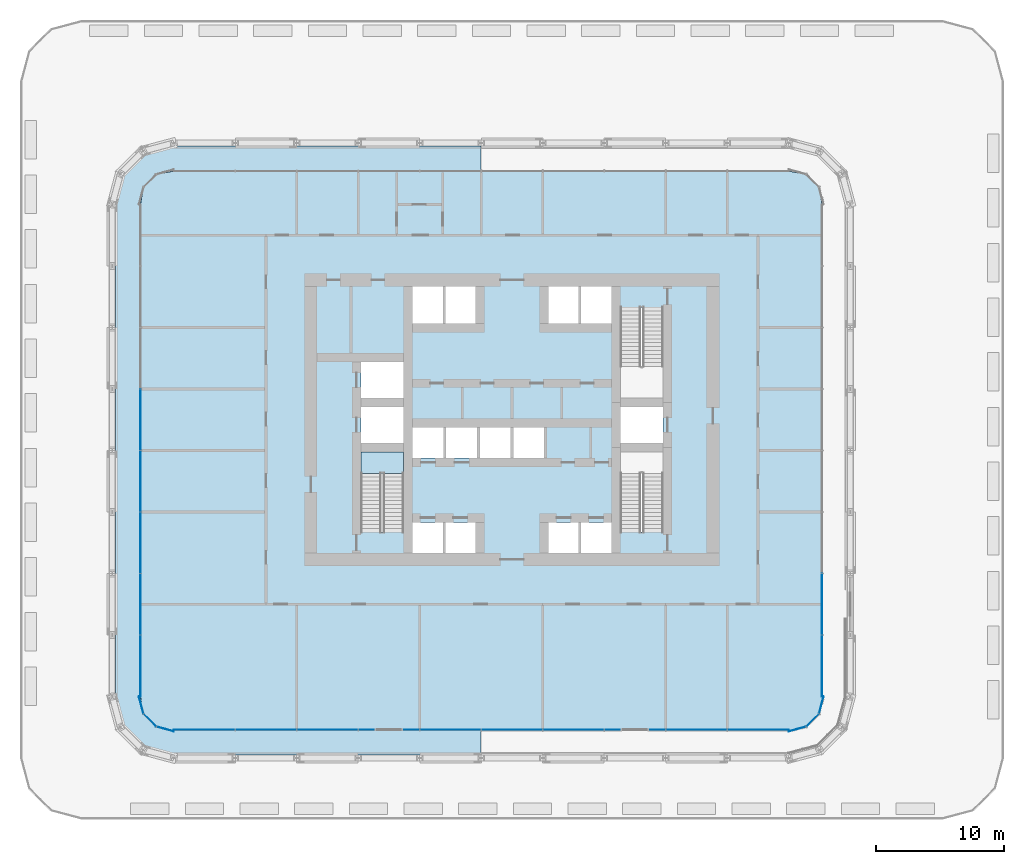
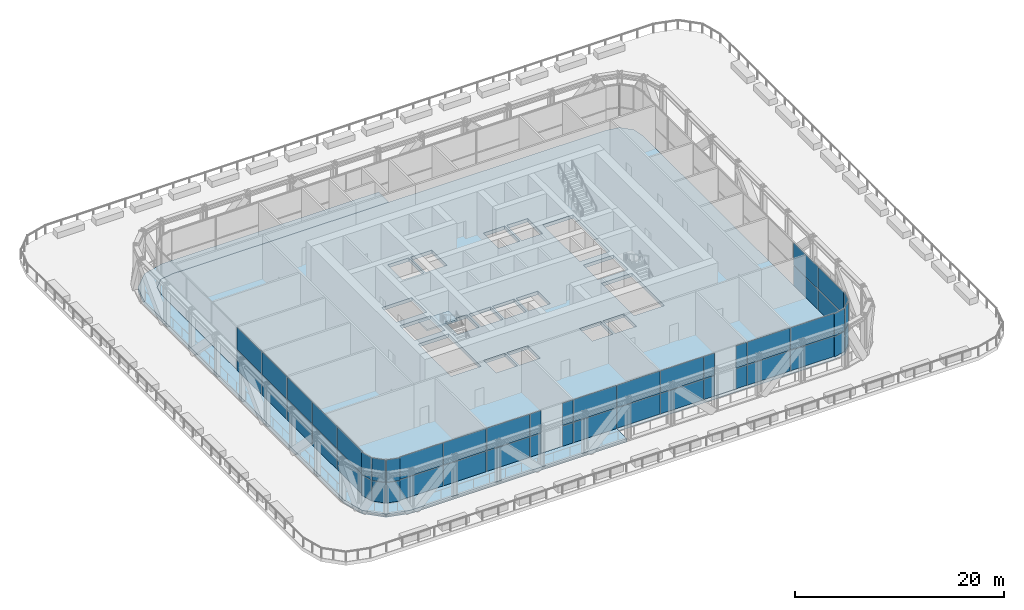
# One storey, part 11 of 22: 50 plates, 3 slabs, 6 elements without a shape of their own.
"""IFC4 building model written with IfcOpenShell, lengths in metres."""

import ifcopenshell
import ifcopenshell.guid

model = None  # the IFC model being written
_history = None  # IfcOwnerHistory: only IFC2X3 demands one
_inside = {}  # id of a spatial element -> (the spatial element, [elements in it])
_under = {}  # id of a project, library or spatial element -> (it, [spatial elements below it])
_declared = {}  # id of a project -> (the project, [libraries it declares])
_typed = {}  # id of a type object -> (the type object, [elements of that type])
_made_of = {}  # id of a material, layer set ... -> (it, [elements and type objects made of it])


def new_model(schema):
    """Start an empty IFC model of exactly this schema.

    Asked for "IFC4X3", IfcOpenShell would pick the latest addendum, in which some entities
    have other attributes; the version numbers below select the first issue.
    IFC2X3 requires an IfcOwnerHistory on every rooted entity: one is made here for all.
    """
    global model, _history
    if schema == "IFC4X3":
        model = ifcopenshell.file(schema_version=(4, 3, 0, 0))
    else:
        model = ifcopenshell.file(schema=schema)
    _inside.clear()
    _under.clear()
    _declared.clear()
    _typed.clear()
    _made_of.clear()
    _history = None
    if model.schema == "IFC2X3":
        org = make("IfcOrganization", Name="unknown")
        user = make(
            "IfcPersonAndOrganization",
            ThePerson=make("IfcPerson", FamilyName="unknown"),
            TheOrganization=org,
        )
        app = make(
            "IfcApplication",
            ApplicationDeveloper=org,
            Version="unknown",
            ApplicationFullName="unknown",
            ApplicationIdentifier="unknown",
        )
        _history = make(
            "IfcOwnerHistory",
            OwningUser=user,
            OwningApplication=app,
            ChangeAction="ADDED",
            CreationDate=0,
        )
    return model


def make(cls, **values):
    """One entity of the class cls with the attributes given. An attribute that is None is left unset."""
    return model.create_entity(
        cls, **{name: value for name, value in values.items() if value is not None}
    )


def rooted(cls, **values):
    """An entity with a GlobalId (a new one), such as an element, a storey or a relation."""
    return make(cls, GlobalId=ifcopenshell.guid.new(), OwnerHistory=_history, **values)


def si_unit(unit_type, name, prefix=None):
    """IfcSIUnit, for example si_unit("LENGTHUNIT", "METRE", prefix="MILLI")."""
    return make("IfcSIUnit", UnitType=unit_type, Prefix=prefix, Name=name)


def assignment(units):
    """IfcUnitAssignment: the units of a project."""
    return None if units is None else make("IfcUnitAssignment", Units=units)


def point(xyz):
    """IfcCartesianPoint."""
    return None if xyz is None else make("IfcCartesianPoint", Coordinates=xyz)


def direction(xyz):
    """IfcDirection."""
    return None if xyz is None else make("IfcDirection", DirectionRatios=xyz)


def frame(location, z_axis=None, x_axis=None):
    """IfcAxis2Placement3D, a coordinate frame: its origin and axes. An axis left out is left unset."""
    return make(
        "IfcAxis2Placement3D",
        Location=point(location),
        Axis=direction(z_axis),
        RefDirection=direction(x_axis),
    )


def frame_2d(location, x_axis=None):
    """IfcAxis2Placement2D, a coordinate frame in the plane: its origin and x axis."""
    return make(
        "IfcAxis2Placement2D", Location=point(location), RefDirection=direction(x_axis)
    )


def origin():
    """The frame at (0, 0, 0) with its axes left unset."""
    return frame((0.0, 0.0, 0.0))


def origin_2d():
    """The frame at (0, 0) in the plane with its x axis left unset."""
    return frame_2d((0.0, 0.0))


def place(relative_to, where):
    """IfcLocalPlacement: puts the frame where relative to a parent placement (None: the world)."""
    return make(
        "IfcLocalPlacement", PlacementRelTo=relative_to, RelativePlacement=where
    )


def context(
    kind, dimensions, precision=None, world=None, true_north=None, identifier=None
):
    """IfcGeometricRepresentationContext, for example the 3D "Model" context."""
    return make(
        "IfcGeometricRepresentationContext",
        ContextIdentifier=identifier,
        ContextType=kind,
        CoordinateSpaceDimension=dimensions,
        Precision=precision,
        WorldCoordinateSystem=world,
        TrueNorth=true_north,
    )


def subcontext(parent, identifier, kind, view, scale=None):
    """IfcGeometricRepresentationSubContext, for example "Body" below "Model"."""
    return make(
        "IfcGeometricRepresentationSubContext",
        ContextIdentifier=identifier,
        ContextType=kind,
        ParentContext=parent,
        TargetScale=scale,
        TargetView=view,
    )


def project(units=None, contexts=None):
    """IfcProject with its units and contexts."""
    return rooted(
        "IfcProject",
        Name="project",
        RepresentationContexts=contexts,
        UnitsInContext=assignment(units),
    )


def spatial(cls, under=None, at=None, **own):
    """A site, building, storey or space (cls), placed at a placement, below another one or the project."""
    s = rooted(cls, ObjectPlacement=at, **own)
    if under is not None:
        _under.setdefault(under.id(), (under, []))[1].append(s)
    return s


def polyline(points):
    """IfcPolyline through the points."""
    return make("IfcPolyline", Points=[point(p) for p in points])


def profile(cls, at=None, kind="AREA", **sizes):
    """A parametric profile (cls). Its sizes go by their IFC names, for example OverallWidth=200.0."""
    return make(cls, ProfileType=kind, Position=at, **sizes)


def rectangle(**sizes):
    """IfcRectangleProfileDef."""
    return profile("IfcRectangleProfileDef", **sizes)


def outline(outer, holes=None, kind="AREA"):
    """IfcArbitraryClosedProfileDef: a profile drawn as a closed curve; with holes, ...WithVoids."""
    if holes is None:
        return make("IfcArbitraryClosedProfileDef", ProfileType=kind, OuterCurve=outer)
    return make(
        "IfcArbitraryProfileDefWithVoids",
        ProfileType=kind,
        OuterCurve=outer,
        InnerCurves=holes,
    )


def extrude(swept, where, along, depth):
    """IfcExtrudedAreaSolid: the profile swept, set in the frame where, extruded along a direction by depth."""
    return make(
        "IfcExtrudedAreaSolid",
        SweptArea=swept,
        Position=where,
        ExtrudedDirection=direction(along),
        Depth=depth,
    )


def shape(context_of_items, identifier, shape_type, items):
    """IfcShapeRepresentation: the items that make up one representation, for example the "Body"."""
    return make(
        "IfcShapeRepresentation",
        ContextOfItems=context_of_items,
        RepresentationIdentifier=identifier,
        RepresentationType=shape_type,
        Items=items,
    )


def material(Name=None, Category=None):
    """IfcMaterial."""
    return make("IfcMaterial", Name=Name, Category=Category)


def layer(
    of_material, thickness, ventilated=None, Name=None, Category=None, Priority=None
):
    """IfcMaterialLayer: one layer of a wall or slab, of a material (None: an air gap)."""
    return make(
        "IfcMaterialLayer",
        Material=of_material,
        LayerThickness=thickness,
        IsVentilated=ventilated,
        Name=Name,
        Category=Category,
        Priority=Priority,
    )


def layer_set(layers, Name=None):
    """IfcMaterialLayerSet."""
    return make("IfcMaterialLayerSet", MaterialLayers=layers, LayerSetName=Name)


def made_of(thing, what):
    """Note that an element or type object is made of a material, layer set ...; save() writes the relation."""
    if what is not None:
        _made_of.setdefault(what.id(), (what, []))[1].append(thing)
    return thing


def type_object(cls, material=None, **own):
    """A type object (cls), such as IfcWallType, which elements share."""
    return made_of(rooted(cls, **own), material)


def element(
    cls,
    number,
    at=None,
    inside=None,
    cuts=None,
    type_object=None,
    material=None,
    context=None,
    identifier="Body",
    shape_type=None,
    held_by="IfcProductDefinitionShape",
    body=None,
    shapes=None,
    **own,
):
    """One element of the class cls, such as IfcWall. Its Tag is "e" and its number.

    at: its placement. inside: the storey or other place that contains it. cuts: it is an
    opening in that element (IfcRelVoidsElement). A single representation is given by context,
    identifier, shape_type and body (its items); several are given by shapes. held_by: the class
    of the entity that holds the representations. save() writes the other relations.
    """
    e = rooted(cls, Tag="e%d" % number, ObjectPlacement=at, **own)
    if body is not None:
        shapes = [shape(context, identifier, shape_type, body)]
    if shapes is not None:
        e.Representation = make(held_by, Representations=shapes)
    if inside is not None:
        _inside.setdefault(inside.id(), (inside, []))[1].append(e)
    if cuts is not None:
        rooted(
            "IfcRelVoidsElement", RelatingBuildingElement=cuts, RelatedOpeningElement=e
        )
    if type_object is not None:
        _typed.setdefault(type_object.id(), (type_object, []))[1].append(e)
    return made_of(e, material)


def aggregate(whole, parts):
    """IfcRelAggregates: a whole, such as a stair, and the parts it consists of."""
    return rooted("IfcRelAggregates", RelatingObject=whole, RelatedObjects=parts)


def save(model, path):
    """Write the relations noted so far, then the file.

    IfcRelAggregates (storeys below a building ...), IfcRelContainedInSpatialStructure (elements
    in a storey), IfcRelDefinesByType, IfcRelAssociatesMaterial and IfcRelDeclares: one each for
    every whole, place, type object, material and project.
    """
    for whole, parts in _under.values():
        aggregate(whole, parts)
    for where, things in _inside.values():
        rooted(
            "IfcRelContainedInSpatialStructure",
            RelatedElements=things,
            RelatingStructure=where,
        )
    for kind, things in _typed.values():
        rooted("IfcRelDefinesByType", RelatedObjects=things, RelatingType=kind)
    for what, things in _made_of.values():
        rooted("IfcRelAssociatesMaterial", RelatedObjects=things, RelatingMaterial=what)
    for by, libraries in _declared.values():
        rooted("IfcRelDeclares", RelatingContext=by, RelatedDefinitions=libraries)
    model.write(path)


model = new_model("IFC4")

# Units and contexts
model_context = context("Model", 3, precision=1e-05, world=origin(), true_north=direction((0.0, 1.0)))
body_context = subcontext(model_context, "Body", "Model", "MODEL_VIEW")
ifc_project = project(units=[si_unit("LENGTHUNIT", "METRE"), si_unit("AREAUNIT", "SQUARE_METRE"), si_unit("VOLUMEUNIT", "CUBIC_METRE"), si_unit("PLANEANGLEUNIT", "RADIAN"), si_unit("MASSUNIT", "GRAM", prefix="KILO")], contexts=[model_context])

# Site, building, storey
site_placement = place(None, origin())
site = spatial("IfcSite", under=ifc_project, at=site_placement, CompositionType="ELEMENT")
building_placement = place(site_placement, origin())
building = spatial("IfcBuilding", under=site, at=building_placement, Name="Madar Terraces", CompositionType="ELEMENT")
storey_placement = place(building_placement, frame((0.0, 0.0, 24.0)))
storey = spatial("IfcBuildingStorey", under=building, at=storey_placement, Name="L05", CompositionType="ELEMENT", Elevation=24.0)

# Slab
ifc_material_1 = material(Name="Concrete C50/60", Category="concrete")
ifc_layer_1 = layer(ifc_material_1, 0.39990234375)
ifc_layer_set_1 = layer_set([ifc_layer_1], Name="FS6 PT flat slab 400")
slab_type_1 = type_object("IfcSlabType", Name="FS6 PT flat slab 400", PredefinedType="FLOOR", material=ifc_layer_set_1)
slab_1_placement = place(storey_placement, frame((0.0, 0.0, -0.39990234375)))
element("IfcSlab", 1, at=slab_1_placement, inside=storey, type_object=slab_type_1, Name="Floor slab L05 (1)", PredefinedType="FLOOR", context=body_context, shape_type="SweptSolid", body=[
    extrude(outline(polyline([(4.800048828125, 2.199951171875), (52.800048828125, 2.199951171875), (54.159912109375, 2.4443359375), (55.155517578125, 3.43994140625), (55.39990234375, 4.800048828125), (55.39990234375, 43.199951171875), (55.155517578125, 44.56005859375), (54.159912109375, 45.5556640625), (52.800048828125, 45.800048828125), (4.800048828125, 45.800048828125), (3.43994140625, 45.5556640625), (2.4443359375, 44.56005859375), (2.199951171875, 43.199951171875), (2.199951171875, 4.800048828125), (2.4443359375, 3.43994140625), (3.43994140625, 2.4443359375), (4.800048828125, 2.199951171875)]), holes=[polyline([(25.800048828125, 16.0), (23.449951171875, 16.0), (23.449951171875, 18.39990234375), (25.800048828125, 18.39990234375), (25.800048828125, 16.0)]), polyline([(28.35009765625, 16.0), (26.0, 16.0), (26.0, 18.39990234375), (28.35009765625, 18.39990234375), (28.35009765625, 16.0)]), polyline([(22.75, 17.64990234375), (19.39990234375, 17.64990234375), (19.39990234375, 23.89990234375), (22.75, 23.89990234375), (22.75, 17.64990234375)]), polyline([(25.86669921875, 23.39990234375), (23.449951171875, 23.39990234375), (23.449951171875, 25.800048828125), (25.86669921875, 25.800048828125), (25.86669921875, 23.39990234375)]), polyline([(28.4833984375, 23.39990234375), (26.066650390625, 23.39990234375), (26.066650390625, 25.800048828125), (28.4833984375, 25.800048828125), (28.4833984375, 23.39990234375)]), polyline([(22.75, 24.60009765625), (19.39990234375, 24.60009765625), (19.39990234375, 27.39990234375), (22.75, 27.39990234375), (22.75, 24.60009765625)]), polyline([(22.75, 28.10009765625), (19.39990234375, 28.10009765625), (19.39990234375, 30.89990234375), (22.75, 30.89990234375), (22.75, 28.10009765625)]), polyline([(23.449951171875, 33.89990234375), (23.449951171875, 36.800048828125), (25.800048828125, 36.800048828125), (25.800048828125, 33.89990234375), (23.449951171875, 33.89990234375)]), polyline([(26.0, 33.89990234375), (26.0, 36.800048828125), (28.35009765625, 36.800048828125), (28.35009765625, 33.89990234375), (26.0, 33.89990234375)]), polyline([(36.39990234375, 16.0), (34.050048828125, 16.0), (34.050048828125, 18.39990234375), (36.39990234375, 18.39990234375), (36.39990234375, 16.0)]), polyline([(38.949951171875, 16.0), (36.60009765625, 16.0), (36.60009765625, 18.39990234375), (38.949951171875, 18.39990234375), (38.949951171875, 16.0)]), polyline([(43.0, 17.64990234375), (39.64990234375, 17.64990234375), (39.64990234375, 23.89990234375), (43.0, 23.89990234375), (43.0, 17.64990234375)]), polyline([(31.10009765625, 23.39990234375), (28.683349609375, 23.39990234375), (28.683349609375, 25.800048828125), (31.10009765625, 25.800048828125), (31.10009765625, 23.39990234375)]), polyline([(33.716552734375, 23.39990234375), (31.300048828125, 23.39990234375), (31.300048828125, 25.800048828125), (33.716552734375, 25.800048828125), (33.716552734375, 23.39990234375)]), polyline([(43.0, 24.60009765625), (39.64990234375, 24.60009765625), (39.64990234375, 27.39990234375), (43.0, 27.39990234375), (43.0, 24.60009765625)]), polyline([(43.0, 28.10009765625), (39.64990234375, 28.10009765625), (39.64990234375, 35.14990234375), (43.0, 35.14990234375), (43.0, 28.10009765625)]), polyline([(34.050048828125, 33.89990234375), (34.050048828125, 36.800048828125), (36.39990234375, 36.800048828125), (36.39990234375, 33.89990234375), (34.050048828125, 33.89990234375)]), polyline([(36.60009765625, 33.89990234375), (36.60009765625, 36.800048828125), (38.949951171875, 36.800048828125), (38.949951171875, 33.89990234375), (36.60009765625, 33.89990234375)])]), origin(), (0.0, 0.0, 1.0), 0.39990234375),
])

# Curtain wall, plates
ifc_material_2 = material(Name="Glass, ceramic frit dark grey, with black aluminium frame", Category="aluminium")
ifc_layer_2 = layer(ifc_material_2, 0.199951171875)
ifc_layer_set_2 = layer_set([ifc_layer_2], Name="Facade curtain wall, tall glazing")
curtain_wall_type = type_object("IfcCurtainWallType", Name="Facade curtain wall, tall glazing", PredefinedType="NOTDEFINED", material=ifc_layer_set_2)
curtain_wall_1_placement = place(storey_placement, origin())
curtain_wall_1 = element("IfcCurtainWall", 2, at=curtain_wall_1_placement, inside=storey, type_object=curtain_wall_type, Name="Outer skin curtain wall south bay 1", PredefinedType="NOTDEFINED")
ifc_material_3 = material(Name="Glass, ceramic frit dark grey", Category="glass")
ifc_layer_3 = layer(ifc_material_3, 0.028076171875)
ifc_layer_set_3 = layer_set([ifc_layer_3], Name="Facade glass panel 28")
plate_type = type_object("IfcPlateType", Name="Facade glass panel 28", PredefinedType="CURTAIN_PANEL", material=ifc_layer_set_3)
plate_1_placement = place(storey_placement, frame((7.18505859375, 2.199951171875, 0.0), z_axis=(0.0, 0.0, 1.0), x_axis=(1.0, 0.0, 0.0)))
plate_1 = element("IfcPlate", 3, at=plate_1_placement, type_object=plate_type, Name="Panel 1", PredefinedType="CURTAIN_PANEL", context=body_context, shape_type="SweptSolid", body=[
    extrude(rectangle(XDim=4.77001953125, YDim=0.028076171875, at=origin_2d()), origin(), (0.0, 0.0, 1.0), 2.3701171875),
])
plate_2_placement = place(storey_placement, frame((7.18505859375, 2.199951171875, 2.43017578125), z_axis=(0.0, 0.0, 1.0), x_axis=(1.0, 0.0, 0.0)))
plate_2 = element("IfcPlate", 4, at=plate_2_placement, type_object=plate_type, Name="Panel 2", PredefinedType="CURTAIN_PANEL", context=body_context, shape_type="SweptSolid", body=[
    extrude(rectangle(XDim=4.77001953125, YDim=0.028076171875, at=origin_2d()), origin(), (0.0, 0.0, 1.0), 2.610107421875),
])
plate_3_placement = place(storey_placement, frame((12.0, 2.199951171875, 0.0), z_axis=(0.0, 0.0, 1.0), x_axis=(1.0, 0.0, 0.0)))
plate_3 = element("IfcPlate", 5, at=plate_3_placement, type_object=plate_type, Name="Panel 3", PredefinedType="CURTAIN_PANEL", context=body_context, shape_type="SweptSolid", body=[
    extrude(rectangle(XDim=4.739990234375, YDim=0.028076171875, at=origin_2d()), origin(), (0.0, 0.0, 1.0), 2.3701171875),
])
plate_4_placement = place(storey_placement, frame((12.0, 2.199951171875, 2.43017578125), z_axis=(0.0, 0.0, 1.0), x_axis=(1.0, 0.0, 0.0)))
plate_4 = element("IfcPlate", 6, at=plate_4_placement, type_object=plate_type, Name="Panel 4", PredefinedType="CURTAIN_PANEL", context=body_context, shape_type="SweptSolid", body=[
    extrude(rectangle(XDim=4.739990234375, YDim=0.028076171875, at=origin_2d()), origin(), (0.0, 0.0, 1.0), 2.610107421875),
])
plate_5_placement = place(storey_placement, frame((16.800048828125, 2.199951171875, 0.0), z_axis=(0.0, 0.0, 1.0), x_axis=(1.0, 0.0, 0.0)))
plate_5 = element("IfcPlate", 7, at=plate_5_placement, type_object=plate_type, Name="Panel 5", PredefinedType="CURTAIN_PANEL", context=body_context, shape_type="SweptSolid", body=[
    extrude(rectangle(XDim=4.739990234375, YDim=0.028076171875, at=origin_2d()), origin(), (0.0, 0.0, 1.0), 2.3701171875),
])
plate_6_placement = place(storey_placement, frame((16.800048828125, 2.199951171875, 2.43017578125), z_axis=(0.0, 0.0, 1.0), x_axis=(1.0, 0.0, 0.0)))
plate_6 = element("IfcPlate", 8, at=plate_6_placement, type_object=plate_type, Name="Panel 6", PredefinedType="CURTAIN_PANEL", context=body_context, shape_type="SweptSolid", body=[
    extrude(rectangle(XDim=4.739990234375, YDim=0.028076171875, at=origin_2d()), origin(), (0.0, 0.0, 1.0), 2.610107421875),
])
plate_7_placement = place(storey_placement, frame((19.81494140625, 2.199951171875, 0.0), z_axis=(0.0, 0.0, 1.0), x_axis=(1.0, 0.0, 0.0)))
plate_7 = element("IfcPlate", 9, at=plate_7_placement, type_object=plate_type, Name="Panel 7", PredefinedType="CURTAIN_PANEL", context=body_context, shape_type="SweptSolid", body=[
    extrude(rectangle(XDim=1.169921875, YDim=0.028076171875, at=origin_2d()), origin(), (0.0, 0.0, 1.0), 2.3701171875),
])
plate_8_placement = place(storey_placement, frame((19.81494140625, 2.199951171875, 2.43017578125), z_axis=(0.0, 0.0, 1.0), x_axis=(1.0, 0.0, 0.0)))
plate_8 = element("IfcPlate", 10, at=plate_8_placement, type_object=plate_type, Name="Panel 8", PredefinedType="CURTAIN_PANEL", context=body_context, shape_type="SweptSolid", body=[
    extrude(rectangle(XDim=1.169921875, YDim=0.028076171875, at=origin_2d()), origin(), (0.0, 0.0, 1.0), 2.610107421875),
])
plate_9_placement = place(storey_placement, frame((23.385009765625, 2.199951171875, 0.0), z_axis=(0.0, 0.0, 1.0), x_axis=(1.0, 0.0, 0.0)))
plate_9 = element("IfcPlate", 11, at=plate_9_placement, type_object=plate_type, Name="Panel 9", PredefinedType="CURTAIN_PANEL", context=body_context, shape_type="SweptSolid", body=[
    extrude(rectangle(XDim=1.169921875, YDim=0.028076171875, at=origin_2d()), origin(), (0.0, 0.0, 1.0), 2.3701171875),
])
plate_10_placement = place(storey_placement, frame((23.385009765625, 2.199951171875, 2.43017578125), z_axis=(0.0, 0.0, 1.0), x_axis=(1.0, 0.0, 0.0)))
plate_10 = element("IfcPlate", 12, at=plate_10_placement, type_object=plate_type, Name="Panel 10", PredefinedType="CURTAIN_PANEL", context=body_context, shape_type="SweptSolid", body=[
    extrude(rectangle(XDim=1.169921875, YDim=0.028076171875, at=origin_2d()), origin(), (0.0, 0.0, 1.0), 2.610107421875),
])
plate_11_placement = place(storey_placement, frame((26.39990234375, 2.199951171875, 0.0), z_axis=(0.0, 0.0, 1.0), x_axis=(1.0, 0.0, 0.0)))
plate_11 = element("IfcPlate", 13, at=plate_11_placement, type_object=plate_type, Name="Panel 11", PredefinedType="CURTAIN_PANEL", context=body_context, shape_type="SweptSolid", body=[
    extrude(rectangle(XDim=4.739990234375, YDim=0.028076171875, at=origin_2d()), origin(), (0.0, 0.0, 1.0), 2.3701171875),
])
plate_12_placement = place(storey_placement, frame((26.39990234375, 2.199951171875, 2.43017578125), z_axis=(0.0, 0.0, 1.0), x_axis=(1.0, 0.0, 0.0)))
plate_12 = element("IfcPlate", 14, at=plate_12_placement, type_object=plate_type, Name="Panel 12", PredefinedType="CURTAIN_PANEL", context=body_context, shape_type="SweptSolid", body=[
    extrude(rectangle(XDim=4.739990234375, YDim=0.028076171875, at=origin_2d()), origin(), (0.0, 0.0, 1.0), 2.610107421875),
])
plate_13_placement = place(storey_placement, frame((31.199951171875, 2.199951171875, 0.0), z_axis=(0.0, 0.0, 1.0), x_axis=(1.0, 0.0, 0.0)))
plate_13 = element("IfcPlate", 15, at=plate_13_placement, type_object=plate_type, Name="Panel 13", PredefinedType="CURTAIN_PANEL", context=body_context, shape_type="SweptSolid", body=[
    extrude(rectangle(XDim=4.739990234375, YDim=0.028076171875, at=origin_2d()), origin(), (0.0, 0.0, 1.0), 2.3701171875),
])
plate_14_placement = place(storey_placement, frame((31.199951171875, 2.199951171875, 2.43017578125), z_axis=(0.0, 0.0, 1.0), x_axis=(1.0, 0.0, 0.0)))
plate_14 = element("IfcPlate", 16, at=plate_14_placement, type_object=plate_type, Name="Panel 14", PredefinedType="CURTAIN_PANEL", context=body_context, shape_type="SweptSolid", body=[
    extrude(rectangle(XDim=4.739990234375, YDim=0.028076171875, at=origin_2d()), origin(), (0.0, 0.0, 1.0), 2.610107421875),
])
plate_15_placement = place(storey_placement, frame((36.0, 2.199951171875, 0.0), z_axis=(0.0, 0.0, 1.0), x_axis=(1.0, 0.0, 0.0)))
plate_15 = element("IfcPlate", 17, at=plate_15_placement, type_object=plate_type, Name="Panel 15", PredefinedType="CURTAIN_PANEL", context=body_context, shape_type="SweptSolid", body=[
    extrude(rectangle(XDim=4.739990234375, YDim=0.028076171875, at=origin_2d()), origin(), (0.0, 0.0, 1.0), 2.3701171875),
])
plate_16_placement = place(storey_placement, frame((36.0, 2.199951171875, 2.43017578125), z_axis=(0.0, 0.0, 1.0), x_axis=(1.0, 0.0, 0.0)))
plate_16 = element("IfcPlate", 18, at=plate_16_placement, type_object=plate_type, Name="Panel 16", PredefinedType="CURTAIN_PANEL", context=body_context, shape_type="SweptSolid", body=[
    extrude(rectangle(XDim=4.739990234375, YDim=0.028076171875, at=origin_2d()), origin(), (0.0, 0.0, 1.0), 2.610107421875),
])
plate_17_placement = place(storey_placement, frame((39.014892578125, 2.199951171875, 0.0), z_axis=(0.0, 0.0, 1.0), x_axis=(1.0, 0.0, 0.0)))
plate_17 = element("IfcPlate", 19, at=plate_17_placement, type_object=plate_type, Name="Panel 17", PredefinedType="CURTAIN_PANEL", context=body_context, shape_type="SweptSolid", body=[
    extrude(rectangle(XDim=1.169921875, YDim=0.028076171875, at=origin_2d()), origin(), (0.0, 0.0, 1.0), 2.3701171875),
])
plate_18_placement = place(storey_placement, frame((39.014892578125, 2.199951171875, 2.43017578125), z_axis=(0.0, 0.0, 1.0), x_axis=(1.0, 0.0, 0.0)))
plate_18 = element("IfcPlate", 20, at=plate_18_placement, type_object=plate_type, Name="Panel 18", PredefinedType="CURTAIN_PANEL", context=body_context, shape_type="SweptSolid", body=[
    extrude(rectangle(XDim=1.169921875, YDim=0.028076171875, at=origin_2d()), origin(), (0.0, 0.0, 1.0), 2.610107421875),
])
plate_19_placement = place(storey_placement, frame((42.5849609375, 2.199951171875, 0.0), z_axis=(0.0, 0.0, 1.0), x_axis=(1.0, 0.0, 0.0)))
plate_19 = element("IfcPlate", 21, at=plate_19_placement, type_object=plate_type, Name="Panel 19", PredefinedType="CURTAIN_PANEL", context=body_context, shape_type="SweptSolid", body=[
    extrude(rectangle(XDim=1.169921875, YDim=0.028076171875, at=origin_2d()), origin(), (0.0, 0.0, 1.0), 2.3701171875),
])
plate_20_placement = place(storey_placement, frame((42.5849609375, 2.199951171875, 2.43017578125), z_axis=(0.0, 0.0, 1.0), x_axis=(1.0, 0.0, 0.0)))
plate_20 = element("IfcPlate", 22, at=plate_20_placement, type_object=plate_type, Name="Panel 20", PredefinedType="CURTAIN_PANEL", context=body_context, shape_type="SweptSolid", body=[
    extrude(rectangle(XDim=1.169921875, YDim=0.028076171875, at=origin_2d()), origin(), (0.0, 0.0, 1.0), 2.610107421875),
])
plate_21_placement = place(storey_placement, frame((45.60009765625, 2.199951171875, 0.0), z_axis=(0.0, 0.0, 1.0), x_axis=(1.0, 0.0, 0.0)))
plate_21 = element("IfcPlate", 23, at=plate_21_placement, type_object=plate_type, Name="Panel 21", PredefinedType="CURTAIN_PANEL", context=body_context, shape_type="SweptSolid", body=[
    extrude(rectangle(XDim=4.739990234375, YDim=0.028076171875, at=origin_2d()), origin(), (0.0, 0.0, 1.0), 2.3701171875),
])
plate_22_placement = place(storey_placement, frame((45.60009765625, 2.199951171875, 2.43017578125), z_axis=(0.0, 0.0, 1.0), x_axis=(1.0, 0.0, 0.0)))
plate_22 = element("IfcPlate", 24, at=plate_22_placement, type_object=plate_type, Name="Panel 22", PredefinedType="CURTAIN_PANEL", context=body_context, shape_type="SweptSolid", body=[
    extrude(rectangle(XDim=4.739990234375, YDim=0.028076171875, at=origin_2d()), origin(), (0.0, 0.0, 1.0), 2.610107421875),
])
plate_23_placement = place(storey_placement, frame((50.4150390625, 2.199951171875, 0.0), z_axis=(0.0, 0.0, 1.0), x_axis=(1.0, 0.0, 0.0)))
plate_23 = element("IfcPlate", 25, at=plate_23_placement, type_object=plate_type, Name="Panel 23", PredefinedType="CURTAIN_PANEL", context=body_context, shape_type="SweptSolid", body=[
    extrude(rectangle(XDim=4.77001953125, YDim=0.028076171875, at=origin_2d()), origin(), (0.0, 0.0, 1.0), 2.3701171875),
])
plate_24_placement = place(storey_placement, frame((50.4150390625, 2.199951171875, 2.43017578125), z_axis=(0.0, 0.0, 1.0), x_axis=(1.0, 0.0, 0.0)))
plate_24 = element("IfcPlate", 26, at=plate_24_placement, type_object=plate_type, Name="Panel 24", PredefinedType="CURTAIN_PANEL", context=body_context, shape_type="SweptSolid", body=[
    extrude(rectangle(XDim=4.77001953125, YDim=0.028076171875, at=origin_2d()), origin(), (0.0, 0.0, 1.0), 2.610107421875),
])
aggregate(curtain_wall_1, [plate_1, plate_2, plate_3, plate_4, plate_5, plate_6, plate_7, plate_8, plate_9, plate_10, plate_11, plate_12, plate_13, plate_14, plate_15, plate_16, plate_17, plate_18, plate_19, plate_20, plate_21, plate_22, plate_23, plate_24])

curtain_wall_2_placement = place(storey_placement, origin())
curtain_wall_2 = element("IfcCurtainWall", 27, at=curtain_wall_2_placement, inside=storey, type_object=curtain_wall_type, Name="Outer skin curtain wall east bay 1", PredefinedType="NOTDEFINED")
plate_25_placement = place(storey_placement, frame((55.39990234375, 7.18505859375, 0.0), z_axis=(0.0, 0.0, 1.0), x_axis=(0.0, 1.0, 0.0)))
plate_25 = element("IfcPlate", 28, at=plate_25_placement, type_object=plate_type, Name="Panel 1", PredefinedType="CURTAIN_PANEL", context=body_context, shape_type="SweptSolid", body=[
    extrude(rectangle(XDim=4.77001953125, YDim=0.028076171875, at=origin_2d()), origin(), (0.0, 0.0, 1.0), 2.3701171875),
])
plate_26_placement = place(storey_placement, frame((55.39990234375, 7.18505859375, 2.43017578125), z_axis=(0.0, 0.0, 1.0), x_axis=(0.0, 1.0, 0.0)))
plate_26 = element("IfcPlate", 29, at=plate_26_placement, type_object=plate_type, Name="Panel 2", PredefinedType="CURTAIN_PANEL", context=body_context, shape_type="SweptSolid", body=[
    extrude(rectangle(XDim=4.77001953125, YDim=0.028076171875, at=origin_2d()), origin(), (0.0, 0.0, 1.0), 2.610107421875),
])
plate_27_placement = place(storey_placement, frame((55.39990234375, 12.0, 0.0), z_axis=(0.0, 0.0, 1.0), x_axis=(0.0, 1.0, 0.0)))
plate_27 = element("IfcPlate", 30, at=plate_27_placement, type_object=plate_type, Name="Panel 3", PredefinedType="CURTAIN_PANEL", context=body_context, shape_type="SweptSolid", body=[
    extrude(rectangle(XDim=4.739990234375, YDim=0.028076171875, at=origin_2d()), origin(), (0.0, 0.0, 1.0), 2.3701171875),
])
plate_28_placement = place(storey_placement, frame((55.39990234375, 12.0, 2.43017578125), z_axis=(0.0, 0.0, 1.0), x_axis=(0.0, 1.0, 0.0)))
plate_28 = element("IfcPlate", 31, at=plate_28_placement, type_object=plate_type, Name="Panel 4", PredefinedType="CURTAIN_PANEL", context=body_context, shape_type="SweptSolid", body=[
    extrude(rectangle(XDim=4.739990234375, YDim=0.028076171875, at=origin_2d()), origin(), (0.0, 0.0, 1.0), 2.610107421875),
])
aggregate(curtain_wall_2, [plate_25, plate_26, plate_27, plate_28])

curtain_wall_3_placement = place(storey_placement, origin())
curtain_wall_3 = element("IfcCurtainWall", 32, at=curtain_wall_3_placement, inside=storey, type_object=curtain_wall_type, Name="Outer skin curtain wall west bay 1", PredefinedType="NOTDEFINED")
plate_29_placement = place(storey_placement, frame((2.199951171875, 26.39990234375, 0.0), z_axis=(0.0, 0.0, 1.0), x_axis=(0.0, -1.0, 0.0)))
plate_29 = element("IfcPlate", 33, at=plate_29_placement, type_object=plate_type, Name="Panel 7", PredefinedType="CURTAIN_PANEL", context=body_context, shape_type="SweptSolid", body=[
    extrude(rectangle(XDim=4.739990234375, YDim=0.028076171875, at=origin_2d()), origin(), (0.0, 0.0, 1.0), 2.3701171875),
])
plate_30_placement = place(storey_placement, frame((2.199951171875, 26.39990234375, 2.43017578125), z_axis=(0.0, 0.0, 1.0), x_axis=(0.0, -1.0, 0.0)))
plate_30 = element("IfcPlate", 34, at=plate_30_placement, type_object=plate_type, Name="Panel 8", PredefinedType="CURTAIN_PANEL", context=body_context, shape_type="SweptSolid", body=[
    extrude(rectangle(XDim=4.739990234375, YDim=0.028076171875, at=origin_2d()), origin(), (0.0, 0.0, 1.0), 2.610107421875),
])
plate_31_placement = place(storey_placement, frame((2.199951171875, 21.60009765625, 0.0), z_axis=(0.0, 0.0, 1.0), x_axis=(0.0, -1.0, 0.0)))
plate_31 = element("IfcPlate", 35, at=plate_31_placement, type_object=plate_type, Name="Panel 9", PredefinedType="CURTAIN_PANEL", context=body_context, shape_type="SweptSolid", body=[
    extrude(rectangle(XDim=4.739990234375, YDim=0.028076171875, at=origin_2d()), origin(), (0.0, 0.0, 1.0), 2.3701171875),
])
plate_32_placement = place(storey_placement, frame((2.199951171875, 21.60009765625, 2.43017578125), z_axis=(0.0, 0.0, 1.0), x_axis=(0.0, -1.0, 0.0)))
plate_32 = element("IfcPlate", 36, at=plate_32_placement, type_object=plate_type, Name="Panel 10", PredefinedType="CURTAIN_PANEL", context=body_context, shape_type="SweptSolid", body=[
    extrude(rectangle(XDim=4.739990234375, YDim=0.028076171875, at=origin_2d()), origin(), (0.0, 0.0, 1.0), 2.610107421875),
])
plate_33_placement = place(storey_placement, frame((2.199951171875, 16.800048828125, 0.0), z_axis=(0.0, 0.0, 1.0), x_axis=(0.0, -1.0, 0.0)))
plate_33 = element("IfcPlate", 37, at=plate_33_placement, type_object=plate_type, Name="Panel 11", PredefinedType="CURTAIN_PANEL", context=body_context, shape_type="SweptSolid", body=[
    extrude(rectangle(XDim=4.739990234375, YDim=0.028076171875, at=origin_2d()), origin(), (0.0, 0.0, 1.0), 2.3701171875),
])
plate_34_placement = place(storey_placement, frame((2.199951171875, 16.800048828125, 2.43017578125), z_axis=(0.0, 0.0, 1.0), x_axis=(0.0, -1.0, 0.0)))
plate_34 = element("IfcPlate", 38, at=plate_34_placement, type_object=plate_type, Name="Panel 12", PredefinedType="CURTAIN_PANEL", context=body_context, shape_type="SweptSolid", body=[
    extrude(rectangle(XDim=4.739990234375, YDim=0.028076171875, at=origin_2d()), origin(), (0.0, 0.0, 1.0), 2.610107421875),
])
plate_35_placement = place(storey_placement, frame((2.199951171875, 12.0, 0.0), z_axis=(0.0, 0.0, 1.0), x_axis=(0.0, -1.0, 0.0)))
plate_35 = element("IfcPlate", 39, at=plate_35_placement, type_object=plate_type, Name="Panel 13", PredefinedType="CURTAIN_PANEL", context=body_context, shape_type="SweptSolid", body=[
    extrude(rectangle(XDim=4.739990234375, YDim=0.028076171875, at=origin_2d()), origin(), (0.0, 0.0, 1.0), 2.3701171875),
])
plate_36_placement = place(storey_placement, frame((2.199951171875, 12.0, 2.43017578125), z_axis=(0.0, 0.0, 1.0), x_axis=(0.0, -1.0, 0.0)))
plate_36 = element("IfcPlate", 40, at=plate_36_placement, type_object=plate_type, Name="Panel 14", PredefinedType="CURTAIN_PANEL", context=body_context, shape_type="SweptSolid", body=[
    extrude(rectangle(XDim=4.739990234375, YDim=0.028076171875, at=origin_2d()), origin(), (0.0, 0.0, 1.0), 2.610107421875),
])
plate_37_placement = place(storey_placement, frame((2.199951171875, 7.18505859375, 0.0), z_axis=(0.0, 0.0, 1.0), x_axis=(0.0, -1.0, 0.0)))
plate_37 = element("IfcPlate", 41, at=plate_37_placement, type_object=plate_type, Name="Panel 15", PredefinedType="CURTAIN_PANEL", context=body_context, shape_type="SweptSolid", body=[
    extrude(rectangle(XDim=4.77001953125, YDim=0.028076171875, at=origin_2d()), origin(), (0.0, 0.0, 1.0), 2.3701171875),
])
plate_38_placement = place(storey_placement, frame((2.199951171875, 7.18505859375, 2.43017578125), z_axis=(0.0, 0.0, 1.0), x_axis=(0.0, -1.0, 0.0)))
plate_38 = element("IfcPlate", 42, at=plate_38_placement, type_object=plate_type, Name="Panel 16", PredefinedType="CURTAIN_PANEL", context=body_context, shape_type="SweptSolid", body=[
    extrude(rectangle(XDim=4.77001953125, YDim=0.028076171875, at=origin_2d()), origin(), (0.0, 0.0, 1.0), 2.610107421875),
])
aggregate(curtain_wall_3, [plate_29, plate_30, plate_31, plate_32, plate_33, plate_34, plate_35, plate_36, plate_37, plate_38])

curtain_wall_4_placement = place(storey_placement, origin())
curtain_wall_4 = element("IfcCurtainWall", 43, at=curtain_wall_4_placement, inside=storey, type_object=curtain_wall_type, Name="Outer skin curtain wall south-east corner", PredefinedType="NOTDEFINED")
plate_39_placement = place(storey_placement, frame((53.465576171875, 2.25830078125, 0.0), z_axis=(0.0, 0.0, 1.0), x_axis=(0.965925808834, 0.258819110244, 0.0)))
plate_39 = element("IfcPlate", 44, at=plate_39_placement, type_object=plate_type, Name="Panel 1", PredefinedType="CURTAIN_PANEL", context=body_context, shape_type="SweptSolid", body=[
    extrude(rectangle(XDim=1.3779296875, YDim=0.028076171875, at=origin_2d()), origin(), (0.0, 0.0, 1.0), 2.3701171875),
])
plate_40_placement = place(storey_placement, frame((53.465576171875, 2.25830078125, 2.43017578125), z_axis=(0.0, 0.0, 1.0), x_axis=(0.965925808834, 0.258819110244, 0.0)))
plate_40 = element("IfcPlate", 45, at=plate_40_placement, type_object=plate_type, Name="Panel 2", PredefinedType="CURTAIN_PANEL", context=body_context, shape_type="SweptSolid", body=[
    extrude(rectangle(XDim=1.3779296875, YDim=0.028076171875, at=origin_2d()), origin(), (0.0, 0.0, 1.0), 2.610107421875),
])
plate_41_placement = place(storey_placement, frame((54.65771484375, 2.942138671875, 0.0), z_axis=(0.0, 0.0, 1.0), x_axis=(0.707106781187, 0.707106781187, 0.0)))
plate_41 = element("IfcPlate", 46, at=plate_41_placement, type_object=plate_type, Name="Panel 3", PredefinedType="CURTAIN_PANEL", context=body_context, shape_type="SweptSolid", body=[
    extrude(rectangle(XDim=1.347900390625, YDim=0.028076171875, at=origin_2d()), origin(), (0.0, 0.0, 1.0), 2.3701171875),
])
plate_42_placement = place(storey_placement, frame((54.65771484375, 2.942138671875, 2.43017578125), z_axis=(0.0, 0.0, 1.0), x_axis=(0.707106781187, 0.707106781187, 0.0)))
plate_42 = element("IfcPlate", 47, at=plate_42_placement, type_object=plate_type, Name="Panel 4", PredefinedType="CURTAIN_PANEL", context=body_context, shape_type="SweptSolid", body=[
    extrude(rectangle(XDim=1.347900390625, YDim=0.028076171875, at=origin_2d()), origin(), (0.0, 0.0, 1.0), 2.610107421875),
])
plate_43_placement = place(storey_placement, frame((55.341796875, 4.134521484375, 0.0), z_axis=(0.0, 0.0, 1.0), x_axis=(0.258819110244, 0.965925808834, 0.0)))
plate_43 = element("IfcPlate", 48, at=plate_43_placement, type_object=plate_type, Name="Panel 5", PredefinedType="CURTAIN_PANEL", context=body_context, shape_type="SweptSolid", body=[
    extrude(rectangle(XDim=1.3779296875, YDim=0.028076171875, at=origin_2d()), origin(), (0.0, 0.0, 1.0), 2.3701171875),
])
plate_44_placement = place(storey_placement, frame((55.341796875, 4.134521484375, 2.43017578125), z_axis=(0.0, 0.0, 1.0), x_axis=(0.258819110244, 0.965925808834, 0.0)))
plate_44 = element("IfcPlate", 49, at=plate_44_placement, type_object=plate_type, Name="Panel 6", PredefinedType="CURTAIN_PANEL", context=body_context, shape_type="SweptSolid", body=[
    extrude(rectangle(XDim=1.3779296875, YDim=0.028076171875, at=origin_2d()), origin(), (0.0, 0.0, 1.0), 2.610107421875),
])
aggregate(curtain_wall_4, [plate_39, plate_40, plate_41, plate_42, plate_43, plate_44])

curtain_wall_5_placement = place(storey_placement, origin())
curtain_wall_5 = element("IfcCurtainWall", 50, at=curtain_wall_5_placement, inside=storey, type_object=curtain_wall_type, Name="Outer skin curtain wall south-west corner", PredefinedType="NOTDEFINED")
plate_45_placement = place(storey_placement, frame((2.25830078125, 4.134521484375, 0.0), z_axis=(0.0, 0.0, 1.0), x_axis=(0.258819110244, -0.965925808834, 0.0)))
plate_45 = element("IfcPlate", 51, at=plate_45_placement, type_object=plate_type, Name="Panel 1", PredefinedType="CURTAIN_PANEL", context=body_context, shape_type="SweptSolid", body=[
    extrude(rectangle(XDim=1.3779296875, YDim=0.028076171875, at=origin_2d()), origin(), (0.0, 0.0, 1.0), 2.3701171875),
])
plate_46_placement = place(storey_placement, frame((2.25830078125, 4.134521484375, 2.43017578125), z_axis=(0.0, 0.0, 1.0), x_axis=(0.258819110244, -0.965925808834, 0.0)))
plate_46 = element("IfcPlate", 52, at=plate_46_placement, type_object=plate_type, Name="Panel 2", PredefinedType="CURTAIN_PANEL", context=body_context, shape_type="SweptSolid", body=[
    extrude(rectangle(XDim=1.3779296875, YDim=0.028076171875, at=origin_2d()), origin(), (0.0, 0.0, 1.0), 2.610107421875),
])
plate_47_placement = place(storey_placement, frame((2.942138671875, 2.942138671875, 0.0), z_axis=(0.0, 0.0, 1.0), x_axis=(0.707106781187, -0.707106781187, 0.0)))
plate_47 = element("IfcPlate", 53, at=plate_47_placement, type_object=plate_type, Name="Panel 3", PredefinedType="CURTAIN_PANEL", context=body_context, shape_type="SweptSolid", body=[
    extrude(rectangle(XDim=1.347900390625, YDim=0.028076171875, at=origin_2d()), origin(), (0.0, 0.0, 1.0), 2.3701171875),
])
plate_48_placement = place(storey_placement, frame((2.942138671875, 2.942138671875, 2.43017578125), z_axis=(0.0, 0.0, 1.0), x_axis=(0.707106781187, -0.707106781187, 0.0)))
plate_48 = element("IfcPlate", 54, at=plate_48_placement, type_object=plate_type, Name="Panel 4", PredefinedType="CURTAIN_PANEL", context=body_context, shape_type="SweptSolid", body=[
    extrude(rectangle(XDim=1.347900390625, YDim=0.028076171875, at=origin_2d()), origin(), (0.0, 0.0, 1.0), 2.610107421875),
])
plate_49_placement = place(storey_placement, frame((4.134521484375, 2.25830078125, 0.0), z_axis=(0.0, 0.0, 1.0), x_axis=(0.965925808834, -0.258819110244, 0.0)))
plate_49 = element("IfcPlate", 55, at=plate_49_placement, type_object=plate_type, Name="Panel 5", PredefinedType="CURTAIN_PANEL", context=body_context, shape_type="SweptSolid", body=[
    extrude(rectangle(XDim=1.3779296875, YDim=0.028076171875, at=origin_2d()), origin(), (0.0, 0.0, 1.0), 2.3701171875),
])
plate_50_placement = place(storey_placement, frame((4.134521484375, 2.25830078125, 2.43017578125), z_axis=(0.0, 0.0, 1.0), x_axis=(0.965925808834, -0.258819110244, 0.0)))
plate_50 = element("IfcPlate", 56, at=plate_50_placement, type_object=plate_type, Name="Panel 6", PredefinedType="CURTAIN_PANEL", context=body_context, shape_type="SweptSolid", body=[
    extrude(rectangle(XDim=1.3779296875, YDim=0.028076171875, at=origin_2d()), origin(), (0.0, 0.0, 1.0), 2.610107421875),
])
aggregate(curtain_wall_5, [plate_45, plate_46, plate_47, plate_48, plate_49, plate_50])

# Stair, slab
ifc_material_4 = material(Name="Concrete C50/60", Category="concrete")
stair_type = type_object("IfcStairType", Name="Stair ST1 protected exit", PredefinedType="HALF_TURN_STAIR", material=ifc_material_4)
stair_placement = place(storey_placement, origin())
stair = element("IfcStair", 57, at=stair_placement, inside=storey, type_object=stair_type, Name="L05 Protected Exit Stair ST1", PredefinedType="HALF_TURN_STAIR")
ifc_material_5 = material(Name="Concrete C50/60", Category="concrete")
ifc_layer_4 = layer(ifc_material_5, 0.199951171875)
ifc_layer_set_4 = layer_set([ifc_layer_4], Name="Stair landing 200, top +2.70")
slab_type_2 = type_object("IfcSlabType", Name="Stair landing 200, top +2.70", PredefinedType="LANDING", material=ifc_layer_set_4)
slab_2_placement = place(storey_placement, frame((0.0, 0.0, 2.5)))
slab_2 = element("IfcSlab", 58, at=slab_2_placement, type_object=slab_type_2, Name="ST1 landing 1", PredefinedType="LANDING", context=body_context, shape_type="SweptSolid", body=[
    extrude(outline(polyline([(19.39990234375, 22.219970703125), (22.75, 22.219970703125), (22.75, 23.89990234375), (19.39990234375, 23.89990234375), (19.39990234375, 22.219970703125)])), origin(), (0.0, 0.0, 1.0), 0.199951171875),
])
aggregate(stair, [slab_2])

# Slab
ifc_material_6 = material(Name="Concrete C50/60", Category="concrete")
ifc_layer_5 = layer(ifc_material_6, 0.39990234375)
ifc_layer_set_5 = layer_set([ifc_layer_5], Name="TS1 PT terrace slab 400")
slab_type_3 = type_object("IfcSlabType", Name="TS1 PT terrace slab 400", PredefinedType="FLOOR", material=ifc_layer_set_5)
slab_3_placement = place(storey_placement, frame((0.0, 0.0, -0.39990234375)))
element("IfcSlab", 59, at=slab_3_placement, inside=storey, type_object=slab_type_3, Name="Gallery slab L05 (1)", PredefinedType="FLOOR", context=body_context, shape_type="SweptSolid", body=[
    extrude(outline(polyline([(2.523681640625, 0.857177734375), (4.83154296875, 0.23876953125), (28.800048828125, 0.23876953125), (28.800048828125, 2.199951171875), (4.800048828125, 2.199951171875), (3.43994140625, 2.4443359375), (2.4443359375, 3.43994140625), (2.199951171875, 4.800048828125), (2.199951171875, 43.199951171875), (2.4443359375, 44.56005859375), (3.43994140625, 45.5556640625), (4.800048828125, 45.800048828125), (28.800048828125, 45.800048828125), (28.800048828125, 47.76123046875), (4.83154296875, 47.76123046875), (2.523681640625, 47.142822265625), (0.857177734375, 45.476318359375), (0.23876953125, 43.16845703125), (0.23876953125, 4.83154296875), (0.857177734375, 2.523681640625), (2.523681640625, 0.857177734375)])), origin(), (0.0, 0.0, 1.0), 0.39990234375),
])

save(model, "model.ifc")
